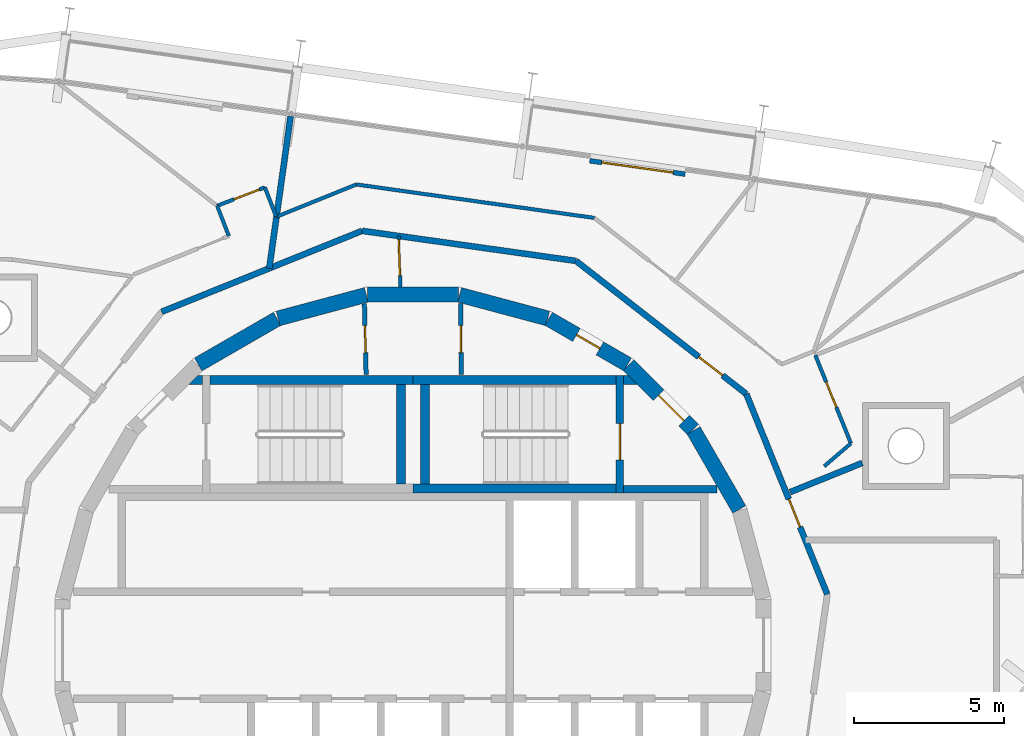
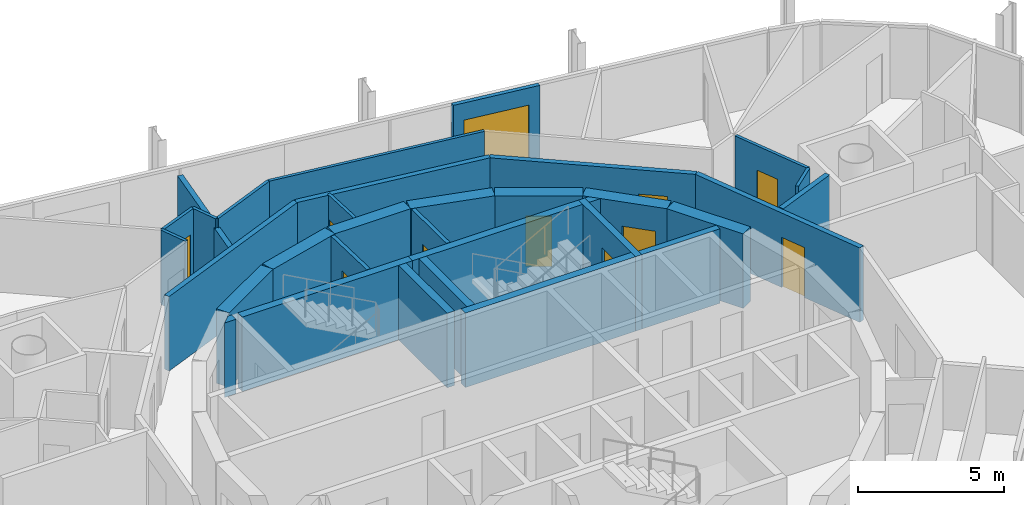
# One storey, part 13 of 15: 33 walls, 11 doors, 11 openings.
"""IFC4 building model written with IfcOpenShell, lengths in metres."""

from ifc_helpers import new_model, si_unit, direction, frame, frame_2d, origin, place, context, subcontext, project, spatial, polyline, rectangle, outline, extrude, material, layer, layer_set, type_object, element, fill, save


model = new_model("IFC4")

# Units and contexts
model_context = context("Model", 3, precision=1e-05, world=origin(), true_north=direction((0.0, 1.0)))
body_context = subcontext(model_context, "Body", "Model", "MODEL_VIEW")
ifc_project = project(units=[si_unit("LENGTHUNIT", "METRE"), si_unit("AREAUNIT", "SQUARE_METRE"), si_unit("VOLUMEUNIT", "CUBIC_METRE"), si_unit("PLANEANGLEUNIT", "RADIAN"), si_unit("MASSUNIT", "GRAM", prefix="KILO")], contexts=[model_context])

# Site, building, storey
site_placement = place(None, origin())
site = spatial("IfcSite", under=ifc_project, at=site_placement, CompositionType="ELEMENT")
building_placement = place(site_placement, origin())
building = spatial("IfcBuilding", under=site, at=building_placement, Name="Spindle Arch Residences", CompositionType="ELEMENT")
storey_placement = place(building_placement, frame((0.0, 0.0, 357.5)))
storey = spatial("IfcBuildingStorey", under=building, at=storey_placement, Name="L92", CompositionType="ELEMENT", Elevation=357.5)

# Wall
ifc_material_1 = material(Name="Concrete C50/60", Category="concrete")
ifc_layer_1 = layer(ifc_material_1, 0.5)
ifc_layer_set_1 = layer_set([ifc_layer_1], Name="Core outline wall 500")
wall_type_1 = type_object("IfcWallType", Name="Core outline wall 500", PredefinedType="SHEAR", material=ifc_layer_set_1)
wall_1_placement = place(storey_placement, frame((10.84521484375, 4.510498046875, 0.0), z_axis=(0.0, 0.0, 1.0), x_axis=(-0.500087131594, 0.865975092491, 0.0)))
element("IfcWall", 1, at=wall_1_placement, inside=storey, type_object=wall_type_1, Name="Core outline wall 8", PredefinedType="SHEAR", context=body_context, shape_type="SweptSolid", body=[
    extrude(rectangle(XDim=3.03271484375, YDim=0.5, at=frame_2d((1.516357421875, 0.0))), origin(), (0.0, 0.0, 1.0), 3.1201171875),
])

# Wall, opening, door
wall_2_placement = place(storey_placement, frame((9.30810546875, 7.163818359375, 0.0), z_axis=(0.0, 0.0, 1.0), x_axis=(-0.707106781187, 0.707106781187, 0.0)))
wall_2 = element("IfcWall", 2, at=wall_2_placement, inside=storey, type_object=wall_type_1, Name="Core outline wall 9", PredefinedType="SHEAR", context=body_context, shape_type="SweptSolid", body=[
    extrude(rectangle(XDim=3.032470703125, YDim=0.5, at=frame_2d((1.51611328125, 0.0))), origin(), (0.0, 0.0, 1.0), 3.1201171875),
])
opening_1_placement = place(wall_2_placement, frame((0.416259765625, 0.0, 0.0)))
opening_1 = element("IfcOpeningElement", 3, at=opening_1_placement, cuts=wall_2, Name="Opening R9C1-AD01", PredefinedType="OPENING", context=body_context, shape_type="SweptSolid", body=[
    extrude(rectangle(XDim=1.199951171875, YDim=2.10009765625, at=frame_2d((0.60009765625, 1.050048828125))), frame((0.0, 0.260009765625, 0.0), z_axis=(0.0, -1.0, 0.0), x_axis=(1.0, 0.0, 0.0)), (0.0, 0.0, 1.0), 0.52001953125),
])
ifc_material_2 = material(Name="Steel, fire-resisting door", Category="steel")
door_type_1 = type_object("IfcDoorType", Name="Stair airlock door 1200x2100", OperationType="SINGLE_SWING_LEFT", PredefinedType="DOOR", material=ifc_material_2)
door_1_placement = place(opening_1_placement, origin())
door_1 = element("IfcDoor", 4, at=door_1_placement, inside=storey, type_object=door_type_1, Name="Stair airlock door R9C1-AD01", OperationType="SINGLE_SWING_RIGHT", OverallHeight=2.10009765625, OverallWidth=1.199951171875, PredefinedType="DOOR", context=body_context, shape_type="SweptSolid", body=[
    extrude(rectangle(XDim=1.199951171875, YDim=2.10009765625, at=frame_2d((0.60009765625, 1.050048828125))), frame((0.0, 0.02490234375, 0.0), z_axis=(0.0, -1.0, 0.0), x_axis=(1.0, 0.0, 0.0)), (0.0, 0.0, 1.0), 0.050048828125),
])
fill(opening_1, door_1)

wall_3_placement = place(storey_placement, frame((7.13671875, 9.32861328125, 0.0), z_axis=(0.0, 0.0, 1.0), x_axis=(-0.865975092491, 0.500087131594, 0.0)))
wall_3 = element("IfcWall", 5, at=wall_3_placement, inside=storey, type_object=wall_type_1, Name="Core outline wall 10", PredefinedType="SHEAR", context=body_context, shape_type="SweptSolid", body=[
    extrude(rectangle(XDim=3.03271484375, YDim=0.5, at=frame_2d((1.516357421875, 0.0))), origin(), (0.0, 0.0, 1.0), 3.1201171875),
])
opening_2_placement = place(wall_3_placement, frame((1.06640625, 0.0, 0.0)))
opening_2 = element("IfcOpeningElement", 6, at=opening_2_placement, cuts=wall_3, Name="Opening R9C1-WD10", PredefinedType="OPENING", context=body_context, shape_type="SweptSolid", body=[
    extrude(rectangle(XDim=0.89990234375, YDim=2.10009765625, at=frame_2d((0.449951171875, 1.050048828125))), frame((0.0, 0.260009765625, 0.0), z_axis=(0.0, -1.0, 0.0), x_axis=(1.0, 0.0, 0.0)), (0.0, 0.0, 1.0), 0.52001953125),
])
ifc_material_3 = material(Name="Steel, fire-resisting door", Category="steel")
door_type_2 = type_object("IfcDoorType", Name="Service room door 900x2100", OperationType="SINGLE_SWING_LEFT", PredefinedType="DOOR", material=ifc_material_3)
door_2_placement = place(opening_2_placement, origin())
door_2 = element("IfcDoor", 7, at=door_2_placement, inside=storey, type_object=door_type_2, Name="Service room door R9C1-WD10", OperationType="SINGLE_SWING_RIGHT", OverallHeight=2.10009765625, OverallWidth=0.89990234375, PredefinedType="DOOR", context=body_context, shape_type="SweptSolid", body=[
    extrude(rectangle(XDim=0.89990234375, YDim=2.10009765625, at=frame_2d((0.449951171875, 1.050048828125))), frame((0.0, 0.02490234375, 0.0), z_axis=(0.0, -1.0, 0.0), x_axis=(1.0, 0.0, 0.0)), (0.0, 0.0, 1.0), 0.050048828125),
])
fill(opening_2, door_2)

# Walls
for number, where, z_axis, x_axis, name in (
    (8, (4.479248046875, 10.858154296875, 0.0), (0.0, 0.0, 1.0), (-0.965948410781, 0.258734743916, 0.0), "Core outline wall 11"),
    (9, (1.516357421875, 11.647216796875, 0.0), (0.0, 0.0, 1.0), (-1.0, 0.0, 0.0), "Core outline wall 12"),
    (10, (-1.5498046875, 11.642822265625, 0.0), (0.0, 0.0, 1.0), (-0.965948410781, -0.258734743916, 0.0), "Core outline wall 13"),
    (11, (-4.510498046875, 10.84521484375, 0.0), (0.0, 0.0, 1.0), (-0.865975092491, -0.500087131594, 0.0), "Core outline wall 14"),
):
    element("IfcWall", number, at=place(storey_placement, frame(where, z_axis=z_axis, x_axis=x_axis)), inside=storey, type_object=wall_type_1, Name=name, PredefinedType="SHEAR", context=body_context, shape_type="SweptSolid", body=[
        extrude(rectangle(XDim=3.03271484375, YDim=0.5, at=frame_2d((1.516357421875, 0.0))), origin(), (0.0, 0.0, 1.0), 3.1201171875),
    ])

# Wall, opening, door
ifc_material_4 = material(Name="Plasterboard on steel studs", Category="steel")
ifc_layer_2 = layer(ifc_material_4, 0.1201171875)
ifc_layer_set_2 = layer_set([ifc_layer_2], Name="Corridor division wall 120")
wall_type_2 = type_object("IfcWallType", Name="Corridor division wall 120", PredefinedType="PARTITIONING", material=ifc_layer_set_2)
wall_4_placement = place(storey_placement, frame((-0.474853515625, 13.598388671875, 0.0), z_axis=(0.0, 0.0, 1.0), x_axis=(0.034852521429, -0.999392466326, 0.0)))
wall_4 = element("IfcWall", 12, at=wall_4_placement, inside=storey, type_object=wall_type_2, Name="Corridor division wall R9C1-W001", PredefinedType="PARTITIONING", context=body_context, shape_type="SweptSolid", body=[
    extrude(rectangle(XDim=1.7021484375, YDim=0.1201171875, at=frame_2d((0.85107421875, 0.0))), origin(), (0.0, 0.0, 1.0), 3.1201171875),
])
opening_3_placement = place(wall_4_placement, frame((0.1201171875, 0.0, 0.0)))
opening_3 = element("IfcOpeningElement", 13, at=opening_3_placement, cuts=wall_4, Name="Opening R9C1-CD01", PredefinedType="OPENING", context=body_context, shape_type="SweptSolid", body=[
    extrude(rectangle(XDim=1.199951171875, YDim=2.10009765625, at=frame_2d((0.60009765625, 1.050048828125))), frame((0.0, 0.070068359375, 0.0), z_axis=(0.0, -1.0, 0.0), x_axis=(1.0, 0.0, 0.0)), (0.0, 0.0, 1.0), 0.14013671875),
])
ifc_material_5 = material(Name="Steel, fire-resisting door", Category="steel")
door_type_3 = type_object("IfcDoorType", Name="Corridor division door 1200x2100", OperationType="NOTDEFINED", PredefinedType="DOOR", material=ifc_material_5)
door_3_placement = place(opening_3_placement, origin())
door_3 = element("IfcDoor", 14, at=door_3_placement, inside=storey, type_object=door_type_3, Name="Corridor division door R9C1-CD01", OperationType="DOUBLE_DOOR_SINGLE_SWING", OverallHeight=2.10009765625, OverallWidth=1.199951171875, PredefinedType="DOOR", context=body_context, shape_type="SweptSolid", body=[
    extrude(rectangle(XDim=1.199951171875, YDim=2.10009765625, at=frame_2d((0.60009765625, 1.050048828125))), frame((0.0, 0.02490234375, 0.0), z_axis=(0.0, -1.0, 0.0), x_axis=(1.0, 0.0, 0.0)), (0.0, 0.0, 1.0), 0.050048828125),
])
fill(opening_3, door_3)

ifc_material_6 = material(Name="Calcium silicate block, plastered")
ifc_layer_3 = layer(ifc_material_6, 0.199951171875)
ifc_layer_set_3 = layer_set([ifc_layer_3], Name="Corridor wall 200")
wall_type_3 = type_object("IfcWallType", Name="Corridor wall 200", PredefinedType="STANDARD", material=ifc_layer_set_3)
wall_5_placement = place(storey_placement, frame((11.0791015625, 8.348876953125, 0.0), z_axis=(0.0, 0.0, 1.0), x_axis=(-0.78800478687, 0.615669112324, 0.0)))
wall_5 = element("IfcWall", 15, at=wall_5_placement, inside=storey, type_object=wall_type_3, Name="Corridor wall R9C1-W006", PredefinedType="STANDARD", context=body_context, shape_type="SweptSolid", body=[
    extrude(rectangle(XDim=7.18115234375, YDim=0.199951171875, at=frame_2d((3.590576171875, 0.0))), origin(), (0.0, 0.0, 1.0), 3.1201171875),
])
opening_4_placement = place(wall_5_placement, frame((1.0, 0.0, 0.0)))
opening_4 = element("IfcOpeningElement", 16, at=opening_4_placement, cuts=wall_5, Name="Opening R9C1-FD02", PredefinedType="OPENING", context=body_context, shape_type="SweptSolid", body=[
    extrude(rectangle(XDim=1.0, YDim=2.10009765625, at=frame_2d((0.5, 1.050048828125))), frame((0.0, 0.10986328125, 0.0), z_axis=(0.0, -1.0, 0.0), x_axis=(1.0, 0.0, 0.0)), (0.0, 0.0, 1.0), 0.219970703125),
])
ifc_material_7 = material(Name="Timber, fire-resisting door set", Category="wood")
door_type_4 = type_object("IfcDoorType", Name="Flat entrance door 1000x2100", OperationType="NOTDEFINED", PredefinedType="DOOR", material=ifc_material_7)
door_4_placement = place(opening_4_placement, origin())
door_4 = element("IfcDoor", 17, at=door_4_placement, inside=storey, type_object=door_type_4, Name="Flat entrance door R9C1-FD02", OperationType="SINGLE_SWING_LEFT", OverallHeight=2.10009765625, OverallWidth=1.0, PredefinedType="DOOR", context=body_context, shape_type="SweptSolid", body=[
    extrude(rectangle(XDim=1.0, YDim=2.10009765625, at=frame_2d((0.5, 1.050048828125))), frame((0.0, 0.02490234375, 0.0), z_axis=(0.0, -1.0, 0.0), x_axis=(1.0, 0.0, 0.0)), (0.0, 0.0, 1.0), 0.050048828125),
])
fill(opening_4, door_4)

# Walls
wall_6_placement = place(storey_placement, frame((5.42041015625, 12.77001953125, 0.0), z_axis=(0.0, 0.0, 1.0), x_axis=(-0.990270565508, 0.139155334385, 0.0)))
element("IfcWall", 18, at=wall_6_placement, inside=storey, type_object=wall_type_3, Name="Corridor wall R9C1-W007", PredefinedType="STANDARD", context=body_context, shape_type="SweptSolid", body=[
    extrude(rectangle(XDim=7.180908203125, YDim=0.199951171875, at=frame_2d((3.59033203125, 0.0))), origin(), (0.0, 0.0, 1.0), 3.1201171875),
])
wall_7_placement = place(storey_placement, frame((-1.690673828125, 13.769287109375, 0.0), z_axis=(0.0, 0.0, 1.0), x_axis=(-0.92717916932, -0.374618189599, 0.0)))
element("IfcWall", 19, at=wall_7_placement, inside=storey, type_object=wall_type_3, Name="Corridor wall R9C1-W011", PredefinedType="STANDARD", context=body_context, shape_type="SweptSolid", body=[
    extrude(rectangle(XDim=7.18115234375, YDim=0.199951171875, at=frame_2d((3.590576171875, 0.0))), origin(), (0.0, 0.0, 1.0), 3.1201171875),
])

# Wall, opening, door
ifc_material_8 = material(Name="Calcium silicate block, plastered")
ifc_layer_4 = layer(ifc_material_8, 0.199951171875)
ifc_layer_set_4 = layer_set([ifc_layer_4], Name="Fire-lift lobby bay wall 200")
wall_type_4 = type_object("IfcWallType", Name="Fire-lift lobby bay wall 200", PredefinedType="STANDARD", material=ifc_layer_set_4)
wall_8_placement = place(storey_placement, frame((13.769287109375, 1.690673828125, 0.0), z_axis=(0.0, 0.0, 1.0), x_axis=(-0.374618189599, 0.92717916932, 0.0)))
wall_8 = element("IfcWall", 20, at=wall_8_placement, inside=storey, type_object=wall_type_4, Name="Fire-lift lobby bay wall R9C1-W005", PredefinedType="STANDARD", context=body_context, shape_type="SweptSolid", body=[
    extrude(rectangle(XDim=7.18115234375, YDim=0.199951171875, at=frame_2d((3.590576171875, 0.0))), origin(), (0.0, 0.0, 1.0), 3.1201171875),
])
opening_5_placement = place(wall_8_placement, frame((2.410400390625, 0.0, 0.0)))
opening_5 = element("IfcOpeningElement", 21, at=opening_5_placement, cuts=wall_8, Name="Opening R9C1-FD01", PredefinedType="OPENING", context=body_context, shape_type="SweptSolid", body=[
    extrude(rectangle(XDim=1.0, YDim=2.10009765625, at=frame_2d((0.5, 1.050048828125))), frame((0.0, 0.10986328125, 0.0), z_axis=(0.0, -1.0, 0.0), x_axis=(1.0, 0.0, 0.0)), (0.0, 0.0, 1.0), 0.219970703125),
])
door_5_placement = place(opening_5_placement, origin())
door_5 = element("IfcDoor", 22, at=door_5_placement, inside=storey, type_object=door_type_4, Name="Flat entrance door R9C1-FD01", OperationType="SINGLE_SWING_LEFT", OverallHeight=2.10009765625, OverallWidth=1.0, PredefinedType="DOOR", context=body_context, shape_type="SweptSolid", body=[
    extrude(rectangle(XDim=1.0, YDim=2.10009765625, at=frame_2d((0.5, 1.050048828125))), frame((0.0, 0.02490234375, 0.0), z_axis=(0.0, -1.0, 0.0), x_axis=(1.0, 0.0, 0.0)), (0.0, 0.0, 1.0), 0.050048828125),
])
fill(opening_5, door_5)

# Wall
ifc_material_9 = material(Name="Plasterboard on steel studs", Category="steel")
ifc_layer_5 = layer(ifc_material_9, 0.1201171875)
ifc_layer_set_5 = layer_set([ifc_layer_5], Name="Flat partition 120")
wall_type_5 = type_object("IfcWallType", Name="Flat partition 120", PredefinedType="PARTITIONING", material=ifc_layer_set_5)
wall_9_placement = place(storey_placement, frame((13.66796875, 5.94580078125, 0.0), z_axis=(0.0, 0.0, 1.0), x_axis=(0.759993221436, 0.649930998931, 0.0)))
element("IfcWall", 23, at=wall_9_placement, inside=storey, type_object=wall_type_5, Name="Flat partition R9C1-W039", PredefinedType="PARTITIONING", context=body_context, shape_type="SweptSolid", body=[
    extrude(rectangle(XDim=1.1689453125, YDim=0.1201171875, at=frame_2d((0.58447265625, 0.0))), origin(), (0.0, 0.0, 1.0), 3.1201171875),
])

# Wall, opening, door
wall_10_placement = place(storey_placement, frame((14.556396484375, 6.70556640625, 0.0), z_axis=(0.0, 0.0, 1.0), x_axis=(-0.374599774633, 0.927186609505, 0.0)))
wall_10 = element("IfcWall", 24, at=wall_10_placement, inside=storey, type_object=wall_type_5, Name="Flat partition R9C1-W040", PredefinedType="PARTITIONING", context=body_context, shape_type="SweptSolid", body=[
    extrude(rectangle(XDim=3.158935546875, YDim=0.1201171875, at=frame_2d((1.57958984375, 0.0))), origin(), (0.0, 0.0, 1.0), 3.1201171875),
])
opening_6_placement = place(wall_10_placement, frame((1.300048828125, 0.0, 0.0)))
opening_6 = element("IfcOpeningElement", 25, at=opening_6_placement, cuts=wall_10, Name="Opening R9C1-ID04", PredefinedType="OPENING", context=body_context, shape_type="SweptSolid", body=[
    extrude(rectangle(XDim=0.89990234375, YDim=2.10009765625, at=frame_2d((0.449951171875, 1.050048828125))), frame((0.0, 0.070068359375, 0.0), z_axis=(0.0, -1.0, 0.0), x_axis=(1.0, 0.0, 0.0)), (0.0, 0.0, 1.0), 0.14013671875),
])
ifc_material_10 = material(Name="Timber door set", Category="wood")
door_type_5 = type_object("IfcDoorType", Name="Room door 900x2100", OperationType="NOTDEFINED", PredefinedType="DOOR", material=ifc_material_10)
door_6_placement = place(opening_6_placement, origin())
door_6 = element("IfcDoor", 26, at=door_6_placement, inside=storey, type_object=door_type_5, Name="Room door R9C1-ID04", OperationType="SINGLE_SWING_LEFT", OverallHeight=2.10009765625, OverallWidth=0.89990234375, PredefinedType="DOOR", context=body_context, shape_type="SweptSolid", body=[
    extrude(rectangle(XDim=0.89990234375, YDim=2.10009765625, at=frame_2d((0.449951171875, 1.050048828125))), frame((0.0, 0.02490234375, 0.0), z_axis=(0.0, -1.0, 0.0), x_axis=(1.0, 0.0, 0.0)), (0.0, 0.0, 1.0), 0.050048828125),
])
fill(opening_6, door_6)

# Walls
wall_11_placement = place(storey_placement, frame((6.02734375, 14.199462890625, 0.0), z_axis=(0.0, 0.0, 1.0), x_axis=(-0.990271593532, 0.139148018469, 0.0)))
element("IfcWall", 27, at=wall_11_placement, inside=storey, type_object=wall_type_5, Name="Flat partition R9C1-W043", PredefinedType="PARTITIONING", context=body_context, shape_type="SweptSolid", body=[
    extrude(rectangle(XDim=7.98486328125, YDim=0.1201171875, at=frame_2d((3.992431640625, 0.0))), origin(), (0.0, 0.0, 1.0), 3.1201171875),
])
wall_12_placement = place(storey_placement, frame((-1.8798828125, 15.310546875, 0.0), z_axis=(0.0, 0.0, 1.0), x_axis=(-0.927176894493, -0.374623819743, 0.0)))
element("IfcWall", 28, at=wall_12_placement, inside=storey, type_object=wall_type_5, Name="Flat partition R9C1-W044", PredefinedType="PARTITIONING", context=body_context, shape_type="SweptSolid", body=[
    extrude(rectangle(XDim=2.8623046875, YDim=0.1201171875, at=frame_2d((1.43115234375, 0.0))), origin(), (0.0, 0.0, 1.0), 3.1201171875),
])
wall_13_placement = place(storey_placement, frame((-4.541748046875, 14.235107421875, 0.0), z_axis=(0.0, 0.0, 1.0), x_axis=(-0.360785401119, 0.932648859078, 0.0)))
element("IfcWall", 29, at=wall_13_placement, inside=storey, type_object=wall_type_5, Name="Flat partition R9C1-W049", PredefinedType="PARTITIONING", context=body_context, shape_type="SweptSolid", body=[
    extrude(rectangle(XDim=1.05029296875, YDim=0.1201171875, at=frame_2d((0.525146484375, 0.0))), origin(), (0.0, 0.0, 1.0), 3.1201171875),
])

# Wall, opening, door
wall_14_placement = place(storey_placement, frame((-4.920654296875, 15.214599609375, 0.0), z_axis=(0.0, 0.0, 1.0), x_axis=(-0.93265541153, -0.360768462236, 0.0)))
wall_14 = element("IfcWall", 30, at=wall_14_placement, inside=storey, type_object=wall_type_5, Name="Flat partition R9C1-W050", PredefinedType="PARTITIONING", context=body_context, shape_type="SweptSolid", body=[
    extrude(rectangle(XDim=1.699951171875, YDim=0.1201171875, at=frame_2d((0.85009765625, 0.0))), origin(), (0.0, 0.0, 1.0), 3.1201171875),
])
opening_7_placement = place(wall_14_placement, frame((0.199951171875, 0.0, 0.0)))
opening_7 = element("IfcOpeningElement", 31, at=opening_7_placement, cuts=wall_14, Name="Opening R9C1-ID08", PredefinedType="OPENING", context=body_context, shape_type="SweptSolid", body=[
    extrude(rectangle(XDim=0.89990234375, YDim=2.10009765625, at=frame_2d((0.449951171875, 1.050048828125))), frame((0.0, 0.070068359375, 0.0), z_axis=(0.0, -1.0, 0.0), x_axis=(1.0, 0.0, 0.0)), (0.0, 0.0, 1.0), 0.14013671875),
])
door_7_placement = place(opening_7_placement, origin())
door_7 = element("IfcDoor", 32, at=door_7_placement, inside=storey, type_object=door_type_5, Name="Room door R9C1-ID08", OperationType="SINGLE_SWING_RIGHT", OverallHeight=2.10009765625, OverallWidth=0.89990234375, PredefinedType="DOOR", context=body_context, shape_type="SweptSolid", body=[
    extrude(rectangle(XDim=0.89990234375, YDim=2.10009765625, at=frame_2d((0.449951171875, 1.050048828125))), frame((0.0, 0.02490234375, 0.0), z_axis=(0.0, -1.0, 0.0), x_axis=(1.0, 0.0, 0.0)), (0.0, 0.0, 1.0), 0.050048828125),
])
fill(opening_7, door_7)

# Walls
wall_15_placement = place(storey_placement, frame((-6.506103515625, 14.601318359375, 0.0), z_axis=(0.0, 0.0, 1.0), x_axis=(0.36075842677, -0.932659293373, 0.0)))
element("IfcWall", 33, at=wall_15_placement, inside=storey, type_object=wall_type_5, Name="Flat partition R9C1-W051", PredefinedType="PARTITIONING", context=body_context, shape_type="SweptSolid", body=[
    extrude(rectangle(XDim=1.075439453125, YDim=0.1201171875, at=frame_2d((0.53759765625, 0.0))), origin(), (0.0, 0.0, 1.0), 3.1201171875),
])
ifc_material_11 = material(Name="Calcium silicate block, plastered")
ifc_layer_6 = layer(ifc_material_11, 0.199951171875)
ifc_layer_set_6 = layer_set([ifc_layer_6], Name="Flat party wall 200")
wall_type_6 = type_object("IfcWallType", Name="Flat party wall 200", PredefinedType="STANDARD", material=ifc_layer_set_6)
wall_16_placement = place(storey_placement, frame((14.93359375, 6.05615234375, 0.0), z_axis=(0.0, 0.0, 1.0), x_axis=(-0.927181938396, -0.374611336071, 0.0)))
element("IfcWall", 34, at=wall_16_placement, inside=storey, type_object=wall_type_6, Name="Flat party wall R9C1-W022", PredefinedType="STANDARD", context=body_context, shape_type="SweptSolid", body=[
    extrude(rectangle(XDim=2.5859375, YDim=0.199951171875, at=frame_2d((1.29296875, 0.0))), origin(), (0.0, 0.0, 1.0), 3.1201171875),
])
ifc_material_12 = material(Name="Calcium silicate block, plastered")
ifc_layer_7 = layer(ifc_material_12, 0.199951171875)
ifc_layer_set_7 = layer_set([ifc_layer_7], Name="Flat party wall 200 under beam 2730")
wall_type_7 = type_object("IfcWallType", Name="Flat party wall 200 under beam 2730", PredefinedType="STANDARD", material=ifc_layer_set_7)
wall_17_placement = place(storey_placement, frame((-4.06494140625, 17.5751953125, 0.0), z_axis=(0.0, 0.0, 1.0), x_axis=(-0.139163175955, -0.990269463559, 0.0)))
element("IfcWall", 35, at=wall_17_placement, inside=storey, type_object=wall_type_7, Name="Flat party wall R9C1-W024", PredefinedType="STANDARD", context=body_context, shape_type="SweptSolid", body=[
    extrude(rectangle(XDim=5.1015625, YDim=0.199951171875, at=frame_2d((2.55078125, 0.0))), origin(), (0.0, 0.0, 1.0), 2.72998046875),
])

# Wall, opening, door
ifc_material_13 = material(Name="Non-combustible mineral wool insulated aluminium faced external wall (K0)", Category="aluminium")
ifc_layer_8 = layer(ifc_material_13, 0.159912109375)
ifc_layer_set_8 = layer_set([ifc_layer_8], Name="Insulated external wall panel 160")
wall_type_8 = type_object("IfcWallType", Name="Insulated external wall panel 160", PredefinedType="STANDARD", material=ifc_layer_set_8)
wall_18_placement = place(storey_placement, frame((9.04345703125, 15.652099609375, 0.0), z_axis=(0.0, 0.0, 1.0), x_axis=(-0.990270382149, 0.139156639217, 0.0)))
wall_18 = element("IfcWall", 36, at=wall_18_placement, inside=storey, type_object=wall_type_8, Name="External wall L92 bay 6", PredefinedType="STANDARD", context=body_context, shape_type="SweptSolid", body=[
    extrude(rectangle(XDim=3.2001953125, YDim=0.159912109375, at=frame_2d((1.60009765625, 0.0))), origin(), (0.0, 0.0, 1.0), 3.1201171875),
])
opening_8_placement = place(wall_18_placement, frame((0.39990234375, 0.0, 0.0)))
opening_8 = element("IfcOpeningElement", 37, at=opening_8_placement, cuts=wall_18, Name="Opening BD06", PredefinedType="OPENING", context=body_context, shape_type="SweptSolid", body=[
    extrude(rectangle(XDim=2.39990234375, YDim=2.39990234375, at=frame_2d((1.199951171875, 1.199951171875))), frame((0.0, 0.08984375, 0.0), z_axis=(0.0, -1.0, 0.0), x_axis=(1.0, 0.0, 0.0)), (0.0, 0.0, 1.0), 0.179931640625),
])
ifc_material_14 = material(Name="Bronze aluminium frame, tinted double glazing", Category="aluminium")
door_type_6 = type_object("IfcDoorType", Name="Sliding glazed balcony door 2400x2400", OperationType="DOUBLE_DOOR_SLIDING", PredefinedType="DOOR", material=ifc_material_14)
door_8_placement = place(opening_8_placement, origin())
door_8 = element("IfcDoor", 38, at=door_8_placement, inside=storey, type_object=door_type_6, Name="Balcony door BD06", OperationType="DOUBLE_DOOR_SLIDING", OverallHeight=2.39990234375, OverallWidth=2.39990234375, PredefinedType="DOOR", context=body_context, shape_type="SweptSolid", body=[
    extrude(rectangle(XDim=2.39990234375, YDim=2.39990234375, at=frame_2d((1.199951171875, 1.199951171875))), frame((0.0, 0.02490234375, 0.0), z_axis=(0.0, -1.0, 0.0), x_axis=(1.0, 0.0, 0.0)), (0.0, 0.0, 1.0), 0.050048828125),
])
fill(opening_8, door_8)

ifc_material_15 = material(Name="Concrete C25/30", Category="concrete")
ifc_layer_9 = layer(ifc_material_15, 0.14990234375)
ifc_layer_set_9 = layer_set([ifc_layer_9], Name="Service room partition 150")
wall_type_9 = type_object("IfcWallType", Name="Service room partition 150", PredefinedType="PARTITIONING", material=ifc_layer_set_9)
wall_19_placement = place(storey_placement, frame((1.585693359375, 11.3544921875, 0.0), z_axis=(0.0, 0.0, 1.0), x_axis=(0.007227482881, -0.999973881405, 0.0)))
wall_19 = element("IfcWall", 39, at=wall_19_placement, inside=storey, type_object=wall_type_9, Name="Core service room partition", PredefinedType="PARTITIONING", context=body_context, shape_type="SweptSolid", body=[
    extrude(rectangle(XDim=2.364501953125, YDim=0.14990234375, at=frame_2d((1.18212890625, 0.0))), origin(), (0.0, 0.0, 1.0), 3.1201171875),
])
opening_9_placement = place(wall_19_placement, frame((0.732177734375, 0.0, 0.0)))
opening_9 = element("IfcOpeningElement", 40, at=opening_9_placement, cuts=wall_19, Name="Opening R9C1-WD06", PredefinedType="OPENING", context=body_context, shape_type="SweptSolid", body=[
    extrude(rectangle(XDim=0.89990234375, YDim=2.10009765625, at=frame_2d((0.449951171875, 1.050048828125))), frame((0.0, 0.0849609375, 0.0), z_axis=(0.0, -1.0, 0.0), x_axis=(1.0, 0.0, 0.0)), (0.0, 0.0, 1.0), 0.169921875),
])
door_9_placement = place(opening_9_placement, origin())
door_9 = element("IfcDoor", 41, at=door_9_placement, inside=storey, type_object=door_type_2, Name="Service room door R9C1-WD06", OperationType="SINGLE_SWING_RIGHT", OverallHeight=2.10009765625, OverallWidth=0.89990234375, PredefinedType="DOOR", context=body_context, shape_type="SweptSolid", body=[
    extrude(rectangle(XDim=0.89990234375, YDim=2.10009765625, at=frame_2d((0.449951171875, 1.050048828125))), frame((0.0, 0.02490234375, 0.0), z_axis=(0.0, -1.0, 0.0), x_axis=(1.0, 0.0, 0.0)), (0.0, 0.0, 1.0), 0.050048828125),
])
fill(opening_9, door_9)

wall_20_placement = place(storey_placement, frame((-1.555419921875, 8.989990234375, 0.0), z_axis=(0.0, 0.0, 1.0), x_axis=(-0.024125549686, 0.999708936567, 0.0)))
wall_20 = element("IfcWall", 42, at=wall_20_placement, inside=storey, type_object=wall_type_9, Name="Core service room partition", PredefinedType="PARTITIONING", context=body_context, shape_type="SweptSolid", body=[
    extrude(rectangle(XDim=2.35791015625, YDim=0.14990234375, at=frame_2d((1.178955078125, 0.0))), origin(), (0.0, 0.0, 1.0), 3.1201171875),
])
opening_10_placement = place(wall_20_placement, frame((0.72900390625, 0.0, 0.0)))
opening_10 = element("IfcOpeningElement", 43, at=opening_10_placement, cuts=wall_20, Name="Opening R9C1-WD07", PredefinedType="OPENING", context=body_context, shape_type="SweptSolid", body=[
    extrude(rectangle(XDim=0.89990234375, YDim=2.10009765625, at=frame_2d((0.449951171875, 1.050048828125))), frame((0.0, 0.0849609375, 0.0), z_axis=(0.0, -1.0, 0.0), x_axis=(1.0, 0.0, 0.0)), (0.0, 0.0, 1.0), 0.169921875),
])
door_10_placement = place(opening_10_placement, origin())
door_10 = element("IfcDoor", 44, at=door_10_placement, inside=storey, type_object=door_type_2, Name="Service room door R9C1-WD07", OperationType="SINGLE_SWING_LEFT", OverallHeight=2.10009765625, OverallWidth=0.89990234375, PredefinedType="DOOR", context=body_context, shape_type="SweptSolid", body=[
    extrude(rectangle(XDim=0.89990234375, YDim=2.10009765625, at=frame_2d((0.449951171875, 1.050048828125))), frame((0.0, 0.02490234375, 0.0), z_axis=(0.0, -1.0, 0.0), x_axis=(1.0, 0.0, 0.0)), (0.0, 0.0, 1.0), 0.050048828125),
])
fill(opening_10, door_10)

# Walls
ifc_material_16 = material(Name="Concrete C40/50", Category="concrete")
ifc_layer_10 = layer(ifc_material_16, 0.25)
ifc_layer_set_10 = layer_set([ifc_layer_10], Name="Stair airlock wall 250")
wall_type_10 = type_object("IfcWallType", Name="Stair airlock wall 250", PredefinedType="SHEAR", material=ifc_layer_set_10)
wall_21_placement = place(storey_placement, frame((7.0, 5.175048828125, 0.0), z_axis=(0.0, 0.0, 1.0), x_axis=(1.0, 0.0, 0.0)))
element("IfcWall", 45, at=wall_21_placement, inside=storey, type_object=wall_type_10, Name="Stair ST-1 airlock wall S", PredefinedType="SHEAR", context=body_context, shape_type="SweptSolid", body=[
    extrude(rectangle(XDim=3.10009765625, YDim=0.25, at=frame_2d((1.550048828125, 0.0))), origin(), (0.0, 0.0, 1.0), 3.1201171875),
])
ifc_material_17 = material(Name="Concrete C40/50", Category="concrete")
wall_type_11 = type_object("IfcWallType", Name="Stair airlock wall profile", PredefinedType="SHEAR", material=ifc_material_17)
wall_22_placement = place(storey_placement, origin())
element("IfcWall", 46, at=wall_22_placement, inside=storey, type_object=wall_type_11, Name="Stair ST-1 airlock wall N", PredefinedType="SHEAR", context=body_context, shape_type="SweptSolid", body=[
    extrude(outline(polyline([(7.4482421875, 8.669921875), (7.0, 8.669921875), (7.0, 8.969970703125), (7.148193359375, 8.969970703125), (7.4482421875, 8.669921875)])), origin(), (0.0, 0.0, 1.0), 3.1201171875),
])
wall_23_placement = place(storey_placement, origin())
element("IfcWall", 47, at=wall_23_placement, inside=storey, type_object=wall_type_11, Name="Stair ST-2 airlock wall N", PredefinedType="SHEAR", context=body_context, shape_type="SweptSolid", body=[
    extrude(outline(polyline([(-7.148193359375, 8.969970703125), (-7.0, 8.969970703125), (-7.0, 8.669921875), (-7.4482421875, 8.669921875), (-7.148193359375, 8.969970703125)])), origin(), (0.0, 0.0, 1.0), 3.1201171875),
])

# Wall, opening, door
ifc_material_18 = material(Name="Concrete C50/60", Category="concrete")
ifc_layer_11 = layer(ifc_material_18, 0.25)
ifc_layer_set_11 = layer_set([ifc_layer_11], Name="Stair enclosure wall 250")
wall_type_12 = type_object("IfcWallType", Name="Stair enclosure wall 250", PredefinedType="SHEAR", material=ifc_layer_set_11)
wall_24_placement = place(storey_placement, frame((6.875, 5.050048828125, 0.0), z_axis=(0.0, 0.0, 1.0), x_axis=(0.0, 1.0, 0.0)))
wall_24 = element("IfcWall", 48, at=wall_24_placement, inside=storey, type_object=wall_type_12, Name="Stair ST-1 door wall", PredefinedType="SHEAR", context=body_context, shape_type="SweptSolid", body=[
    extrude(rectangle(XDim=3.919921875, YDim=0.25, at=frame_2d((1.9599609375, 0.0))), origin(), (0.0, 0.0, 1.0), 3.1201171875),
])
opening_11_placement = place(wall_24_placement, frame((1.110107421875, 0.0, 0.0)))
opening_11 = element("IfcOpeningElement", 49, at=opening_11_placement, cuts=wall_24, Name="Opening R9C1-SD01", PredefinedType="OPENING", context=body_context, shape_type="SweptSolid", body=[
    extrude(rectangle(XDim=1.199951171875, YDim=2.10009765625, at=frame_2d((0.60009765625, 1.050048828125))), frame((0.0, 0.135009765625, 0.0), z_axis=(0.0, -1.0, 0.0), x_axis=(1.0, 0.0, 0.0)), (0.0, 0.0, 1.0), 0.27001953125),
])
ifc_material_19 = material(Name="Steel, fire-resisting door", Category="steel")
door_type_7 = type_object("IfcDoorType", Name="Stair door 1200x2100", OperationType="SINGLE_SWING_RIGHT", PredefinedType="DOOR", material=ifc_material_19)
door_11_placement = place(opening_11_placement, origin())
door_11 = element("IfcDoor", 50, at=door_11_placement, inside=storey, type_object=door_type_7, Name="Stair door R9C1-SD01", OperationType="SINGLE_SWING_LEFT", OverallHeight=2.10009765625, OverallWidth=1.199951171875, PredefinedType="DOOR", context=body_context, shape_type="SweptSolid", body=[
    extrude(rectangle(XDim=1.199951171875, YDim=2.10009765625, at=frame_2d((0.60009765625, 1.050048828125))), frame((0.0, 0.02490234375, 0.0), z_axis=(0.0, -1.0, 0.0), x_axis=(1.0, 0.0, 0.0)), (0.0, 0.0, 1.0), 0.050048828125),
])
fill(opening_11, door_11)

# Walls
ifc_material_20 = material(Name="Concrete C50/60", Category="concrete")
ifc_layer_12 = layer(ifc_material_20, 0.300048828125)
ifc_layer_set_12 = layer_set([ifc_layer_12], Name="Stair enclosure wall 300")
wall_type_13 = type_object("IfcWallType", Name="Stair enclosure wall 300", PredefinedType="SHEAR", material=ifc_layer_set_12)
for number, where, z_axis, x_axis, name in (
    (51, (0.0, 5.199951171875, 0.0), (0.0, 0.0, 1.0), (1.0, 0.0, 0.0), "Stair ST-1 enclosure wall S"),
    (52, (0.0, 8.820068359375, 0.0), (0.0, 0.0, 1.0), (1.0, 0.0, 0.0), "Stair ST-1 enclosure wall N"),
):
    element("IfcWall", number, at=place(storey_placement, frame(where, z_axis=z_axis, x_axis=x_axis)), inside=storey, type_object=wall_type_13, Name=name, PredefinedType="SHEAR", context=body_context, shape_type="SweptSolid", body=[
        extrude(rectangle(XDim=6.75, YDim=0.300048828125, at=frame_2d((3.375, 0.0))), origin(), (0.0, 0.0, 1.0), 3.1201171875),
    ])
wall_25_placement = place(storey_placement, frame((0.39990234375, 5.35009765625, 0.0), z_axis=(0.0, 0.0, 1.0), x_axis=(0.0, 1.0, 0.0)))
element("IfcWall", 53, at=wall_25_placement, inside=storey, type_object=wall_type_13, Name="Stair ST-1 enclosure wall F", PredefinedType="SHEAR", context=body_context, shape_type="SweptSolid", body=[
    extrude(rectangle(XDim=3.31982421875, YDim=0.300048828125, at=frame_2d((1.659912109375, 0.0))), origin(), (0.0, 0.0, 1.0), 3.1201171875),
])
wall_26_placement = place(storey_placement, frame((-6.75, 8.820068359375, 0.0), z_axis=(0.0, 0.0, 1.0), x_axis=(1.0, 0.0, 0.0)))
element("IfcWall", 54, at=wall_26_placement, inside=storey, type_object=wall_type_13, Name="Stair ST-2 enclosure wall N", PredefinedType="SHEAR", context=body_context, shape_type="SweptSolid", body=[
    extrude(rectangle(XDim=6.75, YDim=0.300048828125, at=frame_2d((3.375, 0.0))), origin(), (0.0, 0.0, 1.0), 3.1201171875),
])
wall_27_placement = place(storey_placement, frame((-0.39990234375, 5.35009765625, 0.0), z_axis=(0.0, 0.0, 1.0), x_axis=(0.0, 1.0, 0.0)))
element("IfcWall", 55, at=wall_27_placement, inside=storey, type_object=wall_type_13, Name="Stair ST-2 enclosure wall F", PredefinedType="SHEAR", context=body_context, shape_type="SweptSolid", body=[
    extrude(rectangle(XDim=3.31982421875, YDim=0.300048828125, at=frame_2d((1.659912109375, 0.0))), origin(), (0.0, 0.0, 1.0), 3.1201171875),
])

save(model, "model.ifc")
